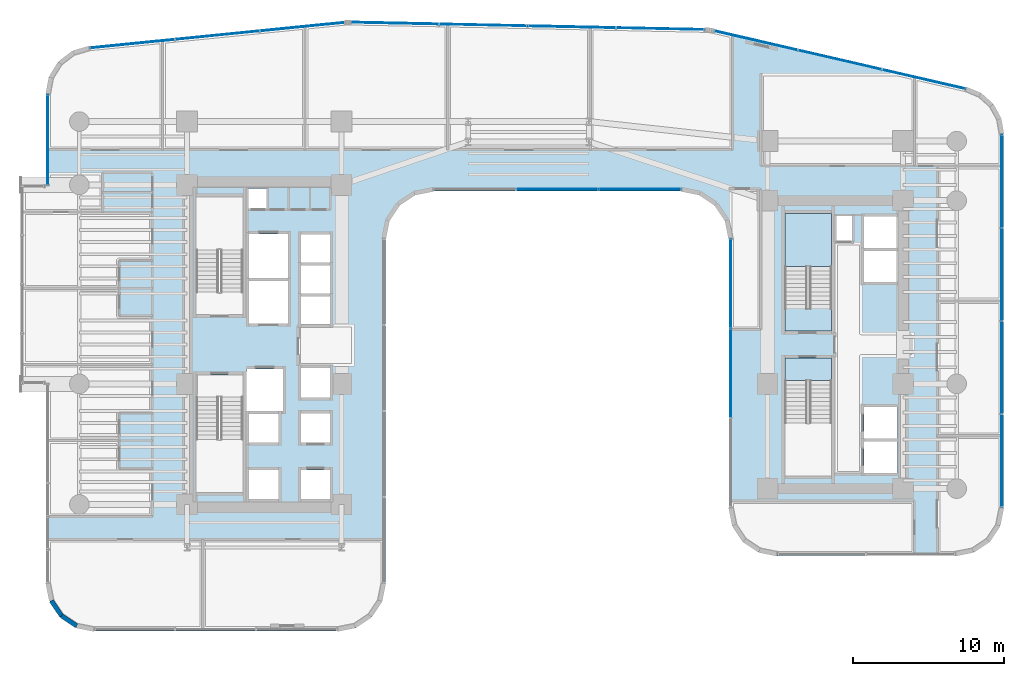
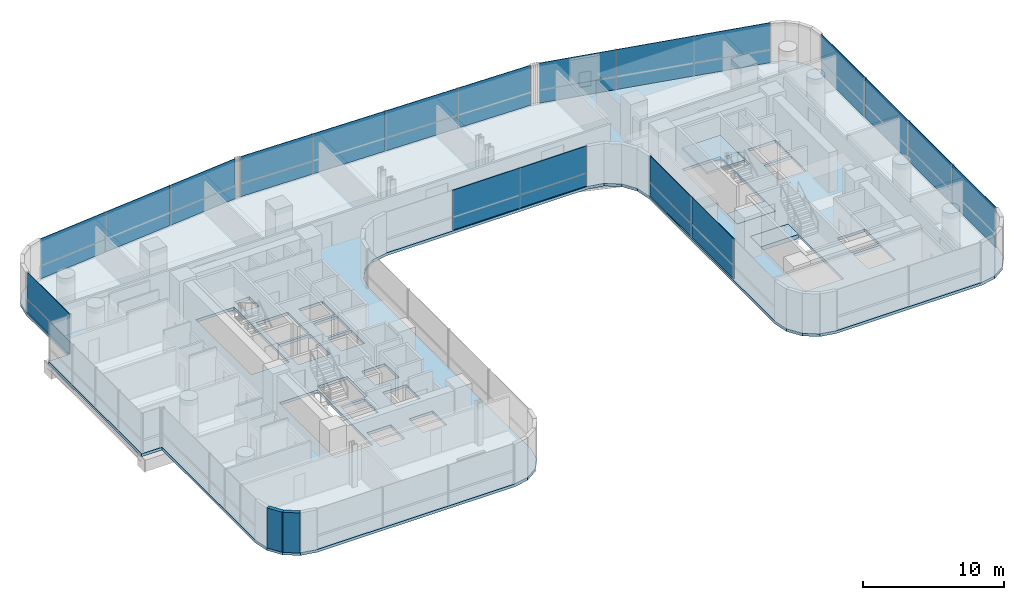
# One storey, part 28 of 39: 30 plates, 4 slabs, 2 walls, 8 elements without a shape of their own.
"""IFC4 building model written with IfcOpenShell, lengths in metres."""

from ifc_helpers import new_model, si_unit, direction, frame, frame_2d, origin, origin_2d, place, context, subcontext, project, spatial, polyline, rectangle, outline, extrude, source, transform, mapped, material, layer, layer_set, type_object, element, aggregate, save


model = new_model("IFC4")

# Units and contexts
model_context = context("Model", 3, precision=1e-05, world=origin(), true_north=direction((0.0, 1.0)))
body_context = subcontext(model_context, "Body", "Model", "MODEL_VIEW")
ifc_project = project(units=[si_unit("LENGTHUNIT", "METRE"), si_unit("AREAUNIT", "SQUARE_METRE"), si_unit("VOLUMEUNIT", "CUBIC_METRE"), si_unit("PLANEANGLEUNIT", "RADIAN"), si_unit("MASSUNIT", "GRAM", prefix="KILO")], contexts=[model_context])

# Site, building, storey
site_placement = place(None, origin())
site = spatial("IfcSite", under=ifc_project, at=site_placement, CompositionType="ELEMENT")
building_placement = place(site_placement, origin())
building = spatial("IfcBuilding", under=site, at=building_placement, Name="Valdorenza Pilgrim Sanctuary Tower", CompositionType="ELEMENT")
storey_placement = place(building_placement, frame((0.0, 0.0, 77.800048828125)))
storey = spatial("IfcBuildingStorey", under=building, at=storey_placement, Name="L19", CompositionType="ELEMENT", Elevation=77.800048828125)

# Slab
ifc_material_1 = material(Name="Concrete C40/50", Category="concrete")
ifc_layer_1 = layer(ifc_material_1, 0.239990234375, Name="Concrete C40/50")
ifc_layer_set_1 = layer_set([ifc_layer_1], Name="Concrete C40/50")
slab_type_1 = type_object("IfcSlabType", Name="SLAB-FLR-220", PredefinedType="FLOOR", material=ifc_layer_set_1)
slab_1_placement = place(storey_placement, frame((0.0, 0.0, -0.239990234375)))
element("IfcSlab", 1, at=slab_1_placement, inside=storey, type_object=slab_type_1, Name="L19 Structural Floor Slab 1", PredefinedType="FLOOR", context=body_context, shape_type="SweptSolid", body=[
    extrude(outline(polyline([(-31.785888671875, 17.754638671875), (-31.172607421875, 18.751220703125), (-30.241943359375, 19.460693359375), (-29.118408203125, 19.7880859375), (-12.192138671875, 21.480712890625), (-11.999755859375, 21.494140625), (-11.9033203125, 21.49658203125), (11.66943359375, 21.0068359375), (11.833984375, 20.999267578125), (11.997802734375, 20.983154296875), (12.160888671875, 20.95849609375), (12.322265625, 20.925537109375), (29.01953125, 17.072509765625), (30.00732421875, 16.660888671875), (30.80419921875, 15.946533203125), (31.321044921875, 15.009521484375), (31.5, 13.954345703125), (31.5, -10.800048828125), (31.25634765625, -12.024658203125), (30.562744140625, -13.062744140625), (29.524658203125, -13.75634765625), (28.300048828125, -14.0), (16.5, -14.0), (15.275390625, -13.75634765625), (14.2373046875, -13.062744140625), (13.543701171875, -12.024658203125), (13.300048828125, -10.800048828125), (13.300048828125, 7.0), (13.056396484375, 8.224609375), (12.36279296875, 9.2626953125), (11.32470703125, 9.956298828125), (10.10009765625, 10.199951171875), (-6.300048828125, 10.199951171875), (-7.524658203125, 9.956298828125), (-8.562744140625, 9.2626953125), (-9.25634765625, 8.224609375), (-9.5, 7.0), (-9.5, -15.800048828125), (-9.74365234375, -17.024658203125), (-10.437255859375, -18.062744140625), (-11.475341796875, -18.75634765625), (-12.699951171875, -19.0), (-28.800048828125, -19.0), (-30.024658203125, -18.75634765625), (-31.062744140625, -18.062744140625), (-31.75634765625, -17.024658203125), (-32.0, -15.800048828125), (-32.0, -2.60009765625), (-33.64990234375, -2.60009765625), (-33.64990234375, 10.60009765625), (-32.0, 10.60009765625), (-32.0, 16.60400390625), (-31.785888671875, 17.754638671875)]), holes=[polyline([(-16.60009765625, -10.25), (-16.60009765625, -8.300048828125), (-18.550048828125, -8.300048828125), (-18.550048828125, -10.25), (-16.60009765625, -10.25)]), polyline([(-22.050048828125, -9.800048828125), (-18.93994140625, -9.800048828125), (-18.93994140625, -3.485107421875), (-18.93994140625, -2.0), (-22.050048828125, -2.0), (-22.050048828125, -3.485107421875), (-22.050048828125, -9.800048828125)]), polyline([(-18.550048828125, -6.5), (-16.60009765625, -6.5), (-16.60009765625, -4.60009765625), (-18.550048828125, -4.60009765625), (-18.550048828125, -6.5)]), polyline([(-13.179931640625, -6.5), (-13.179931640625, -4.550048828125), (-15.10009765625, -4.550048828125), (-15.10009765625, -6.5), (-13.179931640625, -6.5)]), polyline([(-18.719970703125, -4.39990234375), (-16.300048828125, -4.39990234375), (-16.300048828125, -1.60009765625), (-18.719970703125, -1.60009765625), (-18.719970703125, -4.39990234375)]), polyline([(-13.179931640625, -3.5), (-13.179931640625, -1.550048828125), (-15.10009765625, -1.550048828125), (-15.10009765625, -3.5), (-13.179931640625, -3.5)]), polyline([(-22.050048828125, 2.0), (-18.93994140625, 2.0), (-18.93994140625, 3.485107421875), (-18.93994140625, 9.800048828125), (-22.050048828125, 9.800048828125), (-22.050048828125, 3.485107421875), (-22.050048828125, 2.0)]), polyline([(-18.550048828125, 1.39990234375), (-15.949951171875, 1.39990234375), (-15.949951171875, 4.22509765625), (-18.550048828125, 4.22509765625), (-18.550048828125, 1.39990234375)]), polyline([(-15.949951171875, 4.425048828125), (-15.949951171875, 7.35009765625), (-18.550048828125, 7.35009765625), (-18.550048828125, 4.425048828125), (-15.949951171875, 4.425048828125)]), polyline([(-15.10009765625, 5.449951171875), (-13.179931640625, 5.449951171875), (-13.179931640625, 7.300048828125), (-15.10009765625, 7.300048828125), (-15.10009765625, 5.449951171875)]), polyline([(-17.360107421875, 9.030029296875), (-17.360107421875, 10.35009765625), (-18.570068359375, 10.35009765625), (-18.570068359375, 9.030029296875), (-17.360107421875, 9.030029296875)]), polyline([(-15.10009765625, -10.25), (-13.179931640625, -10.25), (-13.179931640625, -8.300048828125), (-15.10009765625, -8.300048828125), (-15.10009765625, -10.25)]), polyline([(22.25, -8.5), (24.47998046875, -8.5), (24.47998046875, -6.425048828125), (22.25, -6.425048828125), (22.25, -8.5)]), polyline([(17.0, -2.385009765625), (17.0, -8.699951171875), (20.110107421875, -8.699951171875), (20.110107421875, -2.385009765625), (20.110107421875, -0.89990234375), (17.0, -0.89990234375), (17.0, -2.385009765625)]), polyline([(22.25, -6.22509765625), (24.47998046875, -6.22509765625), (24.47998046875, -4.14990234375), (22.25, -4.14990234375), (22.25, -6.22509765625)]), polyline([(17.0, 0.89990234375), (20.110107421875, 0.89990234375), (20.110107421875, 2.385009765625), (20.110107421875, 8.699951171875), (17.0, 8.699951171875), (17.0, 2.385009765625), (17.0, 0.89990234375)]), polyline([(-15.10009765625, 1.35009765625), (-13.179931640625, 1.35009765625), (-13.179931640625, 3.199951171875), (-15.10009765625, 3.199951171875), (-15.10009765625, 1.35009765625)]), polyline([(-15.10009765625, 3.39990234375), (-13.179931640625, 3.39990234375), (-13.179931640625, 5.25), (-15.10009765625, 5.25), (-15.10009765625, 3.39990234375)]), polyline([(22.25, 4.14990234375), (24.47998046875, 4.14990234375), (24.47998046875, 6.22509765625), (22.25, 6.22509765625), (22.25, 4.14990234375)]), polyline([(22.25, 6.425048828125), (24.47998046875, 6.425048828125), (24.47998046875, 8.5), (22.25, 8.5), (22.25, 6.425048828125)]), polyline([(20.409912109375, 6.860107421875), (21.489990234375, 6.860107421875), (21.489990234375, 8.52001953125), (20.409912109375, 8.52001953125), (20.409912109375, 6.860107421875)])]), origin(), (0.0, 0.0, 1.0), 0.239990234375),
])

# Stair, slab
stair_type = type_object("IfcStairType", Name="STR-DOG-CORE", PredefinedType="HALF_TURN_STAIR", material=ifc_material_1)
stair_placement = place(storey_placement, origin())
stair = element("IfcStair", 2, at=stair_placement, inside=storey, type_object=stair_type, Name="L19 ST-B1", PredefinedType="HALF_TURN_STAIR")
ifc_layer_2 = layer(ifc_material_1, 0.199951171875, Name="Concrete C40/50")
ifc_layer_set_2 = layer_set([ifc_layer_2], Name="Concrete C40/50")
slab_type_2 = type_object("IfcSlabType", Name="SLAB-STL-200", PredefinedType="LANDING", material=ifc_layer_set_2)
slab_2_placement = place(storey_placement, frame((0.0, 0.0, 1.64990234375)))
slab_2 = element("IfcSlab", 3, at=slab_2_placement, type_object=slab_type_2, Name="ST-B1 landing 1", PredefinedType="LANDING", context=body_context, shape_type="SweptSolid", body=[
    extrude(outline(polyline([(20.110107421875, 5.179931640625), (20.110107421875, 8.699951171875), (17.0, 8.699951171875), (17.0, 5.179931640625), (20.110107421875, 5.179931640625)])), origin(), (0.0, 0.0, 1.0), 0.199951171875),
])
aggregate(stair, [slab_2])

# Slabs
ifc_material_2 = material(Name="Concrete C50/60", Category="concrete")
ifc_layer_3 = layer(ifc_material_2, 0.39990234375, Name="Concrete C50/60")
ifc_layer_set_3 = layer_set([ifc_layer_3], Name="Concrete C50/60")
slab_type_3 = type_object("IfcSlabType", Name="SLAB-TRF-400", PredefinedType="FLOOR", material=ifc_layer_set_3)
slab_3_placement = place(storey_placement, frame((0.0, 0.0, -0.360107421875)))
element("IfcSlab", 4, at=slab_3_placement, inside=storey, type_object=slab_type_3, Name="L19 ST-B1 Structural Stair Landing Bearing Slab", PredefinedType="FLOOR", context=body_context, shape_type="SweptSolid", body=[
    extrude(outline(polyline([(17.0, 0.89990234375), (20.110107421875, 0.89990234375), (20.110107421875, 2.385009765625), (17.0, 2.385009765625), (17.0, 0.89990234375)])), origin(), (0.0, 0.0, 1.0), 0.360107421875),
])
slab_4_placement = place(storey_placement, frame((0.0, 0.0, -0.360107421875)))
element("IfcSlab", 5, at=slab_4_placement, inside=storey, type_object=slab_type_3, Name="L19 ST-B2 Structural Stair Landing Bearing Slab", PredefinedType="FLOOR", context=body_context, shape_type="SweptSolid", body=[
    extrude(outline(polyline([(17.0, -2.385009765625), (20.110107421875, -2.385009765625), (20.110107421875, -0.89990234375), (17.0, -0.89990234375), (17.0, -2.385009765625)])), origin(), (0.0, 0.0, 1.0), 0.360107421875),
])

# Curtain wall, plates
ifc_material_3 = material(Name="Curtain-wall IGU glazing", Category="glass")
curtain_wall_type_1 = type_object("IfcCurtainWallType", Name="CW-SYS-02", PredefinedType="NOTDEFINED", material=ifc_material_3)
curtain_wall_1_placement = place(storey_placement, origin())
curtain_wall_1 = element("IfcCurtainWall", 6, at=curtain_wall_1_placement, inside=storey, type_object=curtain_wall_type_1, Name="L19 Curtain Wall CW-L19-1-6", PredefinedType="NOTDEFINED")
ifc_material_4 = material(Name="Honed travertine limestone", Category="masonry")
ifc_layer_4 = layer(ifc_material_4, 0.050048828125, Name="Honed travertine limestone")
ifc_layer_set_4 = layer_set([ifc_layer_4], Name="Honed travertine limestone")
plate_type_1 = type_object("IfcPlateType", Name="CW-SPN-TRV", PredefinedType="USERDEFINED", material=ifc_layer_set_4)
shared_shape_1 = source(origin(), body_context, "Body", "SweptSolid", [
    extrude(rectangle(XDim=5.646484375, YDim=0.06005859375, at=origin_2d()), origin(), (0.0, 0.0, 1.0), 1.10009765625),
])
plate_1_placement = place(storey_placement, frame((-26.2783203125, 19.961669921875, 0.010009765625), z_axis=(0.0, 0.0, 1.0), x_axis=(0.995038220239, 0.099493418189, 0.0)))
plate_1 = element("IfcPlate", 7, at=plate_1_placement, type_object=plate_type_1, Name="CW-L19-1-6 Travertine Spandrel 1", ObjectType="SPANDREL", PredefinedType="USERDEFINED", context=body_context, shape_type="MappedRepresentation", body=[
    mapped(shared_shape_1, transform((0.0, 0.0, 0.0), x_axis=(1.0, 0.0, 0.0), y_axis=(0.0, 1.0, 0.0), z_axis=(0.0, 0.0, 1.0), scale=1.0)),
])
plate_2_placement = place(storey_placement, frame((-15.001220703125, 21.08935546875, 0.010009765625), z_axis=(0.0, 0.0, 1.0), x_axis=(0.995038220239, 0.099493418189, 0.0)))
plate_2 = element("IfcPlate", 8, at=plate_2_placement, type_object=plate_type_1, Name="CW-L19-1-6 Travertine Spandrel 3", ObjectType="SPANDREL", PredefinedType="USERDEFINED", context=body_context, shape_type="MappedRepresentation", body=[
    mapped(shared_shape_1, transform((0.0, 0.0, 0.0), x_axis=(1.0, 0.0, 0.0), y_axis=(0.0, 1.0, 0.0), z_axis=(0.0, 0.0, 1.0), scale=1.0)),
])
ifc_material_5 = material(Name="Ceramic-fritted low-E IGU glazing", Category="glass")
ifc_layer_5 = layer(ifc_material_5, 0.035888671875, Name="Ceramic-fritted low-E IGU glazing")
ifc_layer_set_5 = layer_set([ifc_layer_5], Name="Ceramic-fritted low-E IGU glazing")
plate_type_2 = type_object("IfcPlateType", Name="CW-GLZ-IGU", PredefinedType="USERDEFINED", material=ifc_layer_set_5)
shared_shape_2 = source(origin(), body_context, "Body", "SweptSolid", [
    extrude(rectangle(XDim=5.646484375, YDim=0.050048828125, at=origin_2d()), origin(), (0.0, 0.0, 1.0), 2.320068359375),
])
plate_3_placement = place(storey_placement, frame((-26.2783203125, 19.961669921875, 1.1298828125), z_axis=(0.0, 0.0, 1.0), x_axis=(0.995038220239, 0.099493418189, 0.0)))
plate_3 = element("IfcPlate", 9, at=plate_3_placement, type_object=plate_type_2, Name="CW-L19-1-6 Facade Panel 1", ObjectType="GLAZING", PredefinedType="USERDEFINED", context=body_context, shape_type="MappedRepresentation", body=[
    mapped(shared_shape_2, transform((0.0, 0.0, 0.0), x_axis=(1.0, 0.0, 0.0), y_axis=(0.0, 1.0, 0.0), z_axis=(0.0, 0.0, 1.0), scale=1.0)),
])
plate_4_placement = place(storey_placement, frame((-15.001220703125, 21.08935546875, 1.1298828125), z_axis=(0.0, 0.0, 1.0), x_axis=(0.995038220239, 0.099493418189, 0.0)))
plate_4 = element("IfcPlate", 10, at=plate_4_placement, type_object=plate_type_2, Name="CW-L19-1-6 Facade Panel 3", ObjectType="GLAZING", PredefinedType="USERDEFINED", context=body_context, shape_type="MappedRepresentation", body=[
    mapped(shared_shape_2, transform((0.0, 0.0, 0.0), x_axis=(1.0, 0.0, 0.0), y_axis=(0.0, 1.0, 0.0), z_axis=(0.0, 0.0, 1.0), scale=1.0)),
])
shared_shape_3 = source(origin(), body_context, "Body", "SweptSolid", [
    extrude(rectangle(XDim=5.646484375, YDim=0.050048828125, at=origin_2d()), origin(), (0.0, 0.0, 1.0), 3.43994140625),
])
plate_5_placement = place(storey_placement, frame((-20.6396484375, 20.525634765625, 0.010009765625), z_axis=(0.0, 0.0, 1.0), x_axis=(0.995038220239, 0.099493418189, 0.0)))
plate_5 = element("IfcPlate", 11, at=plate_5_placement, type_object=plate_type_2, Name="CW-L19-1-6 Full-Height Facade Panel 2", ObjectType="GLAZING", PredefinedType="USERDEFINED", context=body_context, shape_type="MappedRepresentation", body=[
    mapped(shared_shape_3, transform((0.0, 0.0, 0.0), x_axis=(1.0, 0.0, 0.0), y_axis=(0.0, 1.0, 0.0), z_axis=(0.0, 0.0, 1.0), scale=1.0)),
])
aggregate(curtain_wall_1, [plate_1, plate_3, plate_5, plate_2, plate_4])

curtain_wall_2_placement = place(storey_placement, origin())
curtain_wall_2 = element("IfcCurtainWall", 12, at=curtain_wall_2_placement, inside=storey, type_object=curtain_wall_type_1, Name="L19 Curtain Wall CW-L19-1-11", PredefinedType="NOTDEFINED")
shared_shape_4 = source(origin(), body_context, "Body", "SweptSolid", [
    extrude(rectangle(XDim=5.849853515625, YDim=0.06005859375, at=origin_2d()), origin(), (0.0, 0.0, 1.0), 1.10009765625),
])
plate_6_placement = place(storey_placement, frame((-8.8740234375, 21.324951171875, 0.010009765625), z_axis=(0.0, 0.0, 1.0), x_axis=(0.999783234613, -0.020820273474, 0.0)))
plate_6 = element("IfcPlate", 13, at=plate_6_placement, type_object=plate_type_1, Name="CW-L19-1-11 Travertine Spandrel 1", ObjectType="SPANDREL", PredefinedType="USERDEFINED", context=body_context, shape_type="MappedRepresentation", body=[
    mapped(shared_shape_4, transform((0.0, 0.0, 0.0), x_axis=(1.0, 0.0, 0.0), y_axis=(0.0, 1.0, 0.0), z_axis=(0.0, 0.0, 1.0), scale=1.0)),
])
plate_7_placement = place(storey_placement, frame((2.86279296875, 21.080322265625, 0.010009765625), z_axis=(0.0, 0.0, 1.0), x_axis=(0.999783234613, -0.020820273474, 0.0)))
plate_7 = element("IfcPlate", 14, at=plate_7_placement, type_object=plate_type_1, Name="CW-L19-1-11 Travertine Spandrel 3", ObjectType="SPANDREL", PredefinedType="USERDEFINED", context=body_context, shape_type="MappedRepresentation", body=[
    mapped(shared_shape_4, transform((0.0, 0.0, 0.0), x_axis=(1.0, 0.0, 0.0), y_axis=(0.0, 1.0, 0.0), z_axis=(0.0, 0.0, 1.0), scale=1.0)),
])
shared_shape_5 = source(origin(), body_context, "Body", "SweptSolid", [
    extrude(rectangle(XDim=5.849853515625, YDim=0.050048828125, at=origin_2d()), origin(), (0.0, 0.0, 1.0), 2.320068359375),
])
plate_8_placement = place(storey_placement, frame((-8.8740234375, 21.324951171875, 1.1298828125), z_axis=(0.0, 0.0, 1.0), x_axis=(0.999783234613, -0.020820273474, 0.0)))
plate_8 = element("IfcPlate", 15, at=plate_8_placement, type_object=plate_type_2, Name="CW-L19-1-11 Facade Panel 1", ObjectType="GLAZING", PredefinedType="USERDEFINED", context=body_context, shape_type="MappedRepresentation", body=[
    mapped(shared_shape_5, transform((0.0, 0.0, 0.0), x_axis=(1.0, 0.0, 0.0), y_axis=(0.0, 1.0, 0.0), z_axis=(0.0, 0.0, 1.0), scale=1.0)),
])
plate_9_placement = place(storey_placement, frame((2.86279296875, 21.080322265625, 1.1298828125), z_axis=(0.0, 0.0, 1.0), x_axis=(0.999783234613, -0.020820273474, 0.0)))
plate_9 = element("IfcPlate", 16, at=plate_9_placement, type_object=plate_type_2, Name="CW-L19-1-11 Facade Panel 3", ObjectType="GLAZING", PredefinedType="USERDEFINED", context=body_context, shape_type="MappedRepresentation", body=[
    mapped(shared_shape_5, transform((0.0, 0.0, 0.0), x_axis=(1.0, 0.0, 0.0), y_axis=(0.0, 1.0, 0.0), z_axis=(0.0, 0.0, 1.0), scale=1.0)),
])
shared_shape_6 = source(origin(), body_context, "Body", "SweptSolid", [
    extrude(rectangle(XDim=5.849853515625, YDim=0.050048828125, at=origin_2d()), origin(), (0.0, 0.0, 1.0), 3.43994140625),
])
plate_10_placement = place(storey_placement, frame((-3.005615234375, 21.20263671875, 0.010009765625), z_axis=(0.0, 0.0, 1.0), x_axis=(0.999783234613, -0.020820273474, 0.0)))
plate_10 = element("IfcPlate", 17, at=plate_10_placement, type_object=plate_type_2, Name="CW-L19-1-11 Full-Height Facade Panel 2", ObjectType="GLAZING", PredefinedType="USERDEFINED", context=body_context, shape_type="MappedRepresentation", body=[
    mapped(shared_shape_6, transform((0.0, 0.0, 0.0), x_axis=(1.0, 0.0, 0.0), y_axis=(0.0, 1.0, 0.0), z_axis=(0.0, 0.0, 1.0), scale=1.0)),
])
plate_11_placement = place(storey_placement, frame((8.7314453125, 20.9580078125, 0.010009765625), z_axis=(0.0, 0.0, 1.0), x_axis=(0.999783234613, -0.020820273474, 0.0)))
plate_11 = element("IfcPlate", 18, at=plate_11_placement, type_object=plate_type_2, Name="CW-L19-1-11 Full-Height Facade Panel 4", ObjectType="GLAZING", PredefinedType="USERDEFINED", context=body_context, shape_type="MappedRepresentation", body=[
    mapped(shared_shape_6, transform((0.0, 0.0, 0.0), x_axis=(1.0, 0.0, 0.0), y_axis=(0.0, 1.0, 0.0), z_axis=(0.0, 0.0, 1.0), scale=1.0)),
])
aggregate(curtain_wall_2, [plate_6, plate_8, plate_10, plate_7, plate_9, plate_11])

curtain_wall_type_2 = type_object("IfcCurtainWallType", Name="CW-SYS-03", PredefinedType="NOTDEFINED", material=ifc_material_3)
curtain_wall_3_placement = place(storey_placement, origin())
curtain_wall_3 = element("IfcCurtainWall", 19, at=curtain_wall_3_placement, inside=storey, type_object=curtain_wall_type_2, Name="L19 Curtain Wall CW-L19-1-16", PredefinedType="NOTDEFINED")
shared_shape_7 = source(origin(), body_context, "Body", "SweptSolid", [
    extrude(rectangle(XDim=5.6884765625, YDim=0.06005859375, at=origin_2d()), origin(), (0.0, 0.0, 1.0), 1.10009765625),
])
plate_12_placement = place(storey_placement, frame((15.080078125, 20.17626953125, 0.010009765625), z_axis=(0.0, 0.0, 1.0), x_axis=(0.974389691758, -0.224866023659, 0.0)))
plate_12 = element("IfcPlate", 20, at=plate_12_placement, type_object=plate_type_1, Name="CW-L19-1-16 Travertine Spandrel 1", ObjectType="SPANDREL", PredefinedType="USERDEFINED", context=body_context, shape_type="MappedRepresentation", body=[
    mapped(shared_shape_7, transform((0.0, 0.0, 0.0), x_axis=(1.0, 0.0, 0.0), y_axis=(0.0, 1.0, 0.0), z_axis=(0.0, 0.0, 1.0), scale=1.0)),
])
plate_13_placement = place(storey_placement, frame((26.20458984375, 17.609130859375, 0.010009765625), z_axis=(0.0, 0.0, 1.0), x_axis=(0.974389691758, -0.224866023659, 0.0)))
plate_13 = element("IfcPlate", 21, at=plate_13_placement, type_object=plate_type_1, Name="CW-L19-1-16 Travertine Spandrel 3", ObjectType="SPANDREL", PredefinedType="USERDEFINED", context=body_context, shape_type="MappedRepresentation", body=[
    mapped(shared_shape_7, transform((0.0, 0.0, 0.0), x_axis=(1.0, 0.0, 0.0), y_axis=(0.0, 1.0, 0.0), z_axis=(0.0, 0.0, 1.0), scale=1.0)),
])
shared_shape_8 = source(origin(), body_context, "Body", "SweptSolid", [
    extrude(rectangle(XDim=5.6884765625, YDim=0.050048828125, at=origin_2d()), origin(), (0.0, 0.0, 1.0), 2.320068359375),
])
plate_14_placement = place(storey_placement, frame((15.080078125, 20.17626953125, 1.1298828125), z_axis=(0.0, 0.0, 1.0), x_axis=(0.974389691758, -0.224866023659, 0.0)))
plate_14 = element("IfcPlate", 22, at=plate_14_placement, type_object=plate_type_2, Name="CW-L19-1-16 Facade Panel 1", ObjectType="GLAZING", PredefinedType="USERDEFINED", context=body_context, shape_type="MappedRepresentation", body=[
    mapped(shared_shape_8, transform((0.0, 0.0, 0.0), x_axis=(1.0, 0.0, 0.0), y_axis=(0.0, 1.0, 0.0), z_axis=(0.0, 0.0, 1.0), scale=1.0)),
])
plate_15_placement = place(storey_placement, frame((26.20458984375, 17.609130859375, 1.1298828125), z_axis=(0.0, 0.0, 1.0), x_axis=(0.974389691758, -0.224866023659, 0.0)))
plate_15 = element("IfcPlate", 23, at=plate_15_placement, type_object=plate_type_2, Name="CW-L19-1-16 Facade Panel 3", ObjectType="GLAZING", PredefinedType="USERDEFINED", context=body_context, shape_type="MappedRepresentation", body=[
    mapped(shared_shape_8, transform((0.0, 0.0, 0.0), x_axis=(1.0, 0.0, 0.0), y_axis=(0.0, 1.0, 0.0), z_axis=(0.0, 0.0, 1.0), scale=1.0)),
])
shared_shape_9 = source(origin(), body_context, "Body", "SweptSolid", [
    extrude(rectangle(XDim=5.6884765625, YDim=0.050048828125, at=origin_2d()), origin(), (0.0, 0.0, 1.0), 3.43994140625),
])
plate_16_placement = place(storey_placement, frame((20.642333984375, 18.892578125, 0.010009765625), z_axis=(0.0, 0.0, 1.0), x_axis=(0.974389691758, -0.224866023659, 0.0)))
plate_16 = element("IfcPlate", 24, at=plate_16_placement, type_object=plate_type_2, Name="CW-L19-1-16 Full-Height Facade Panel 2", ObjectType="GLAZING", PredefinedType="USERDEFINED", context=body_context, shape_type="MappedRepresentation", body=[
    mapped(shared_shape_9, transform((0.0, 0.0, 0.0), x_axis=(1.0, 0.0, 0.0), y_axis=(0.0, 1.0, 0.0), z_axis=(0.0, 0.0, 1.0), scale=1.0)),
])
aggregate(curtain_wall_3, [plate_12, plate_14, plate_16, plate_13, plate_15])

curtain_wall_4_placement = place(storey_placement, origin())
curtain_wall_4 = element("IfcCurtainWall", 25, at=curtain_wall_4_placement, inside=storey, type_object=curtain_wall_type_2, Name="L19 Curtain Wall CW-L19-1-21", PredefinedType="NOTDEFINED")
shared_shape_10 = source(origin(), body_context, "Body", "SweptSolid", [
    extrude(rectangle(XDim=6.16357421875, YDim=0.06005859375, at=origin_2d()), origin(), (0.0, 0.0, 1.0), 1.10009765625),
])
plate_17_placement = place(storey_placement, frame((31.389892578125, 10.853271484375, 0.010009765625), z_axis=(0.0, 0.0, 1.0), x_axis=(0.0, -1.0, 0.0)))
plate_17 = element("IfcPlate", 26, at=plate_17_placement, type_object=plate_type_1, Name="CW-L19-1-21 Travertine Spandrel 1", ObjectType="SPANDREL", PredefinedType="USERDEFINED", context=body_context, shape_type="MappedRepresentation", body=[
    mapped(shared_shape_10, transform((0.0, 0.0, 0.0), x_axis=(1.0, 0.0, 0.0), y_axis=(0.0, 1.0, 0.0), z_axis=(0.0, 0.0, 1.0), scale=1.0)),
])
plate_18_placement = place(storey_placement, frame((31.389892578125, -1.513916015625, 0.010009765625), z_axis=(0.0, 0.0, 1.0), x_axis=(0.0, -1.0, 0.0)))
plate_18 = element("IfcPlate", 27, at=plate_18_placement, type_object=plate_type_1, Name="CW-L19-1-21 Travertine Spandrel 3", ObjectType="SPANDREL", PredefinedType="USERDEFINED", context=body_context, shape_type="MappedRepresentation", body=[
    mapped(shared_shape_10, transform((0.0, 0.0, 0.0), x_axis=(1.0, 0.0, 0.0), y_axis=(0.0, 1.0, 0.0), z_axis=(0.0, 0.0, 1.0), scale=1.0)),
])
shared_shape_11 = source(origin(), body_context, "Body", "SweptSolid", [
    extrude(rectangle(XDim=6.16357421875, YDim=0.050048828125, at=origin_2d()), origin(), (0.0, 0.0, 1.0), 2.320068359375),
])
plate_19_placement = place(storey_placement, frame((31.389892578125, 10.853271484375, 1.1298828125), z_axis=(0.0, 0.0, 1.0), x_axis=(0.0, -1.0, 0.0)))
plate_19 = element("IfcPlate", 28, at=plate_19_placement, type_object=plate_type_2, Name="CW-L19-1-21 Facade Panel 1", ObjectType="GLAZING", PredefinedType="USERDEFINED", context=body_context, shape_type="MappedRepresentation", body=[
    mapped(shared_shape_11, transform((0.0, 0.0, 0.0), x_axis=(1.0, 0.0, 0.0), y_axis=(0.0, 1.0, 0.0), z_axis=(0.0, 0.0, 1.0), scale=1.0)),
])
plate_20_placement = place(storey_placement, frame((31.389892578125, -1.513916015625, 1.1298828125), z_axis=(0.0, 0.0, 1.0), x_axis=(0.0, -1.0, 0.0)))
plate_20 = element("IfcPlate", 29, at=plate_20_placement, type_object=plate_type_2, Name="CW-L19-1-21 Facade Panel 3", ObjectType="GLAZING", PredefinedType="USERDEFINED", context=body_context, shape_type="MappedRepresentation", body=[
    mapped(shared_shape_11, transform((0.0, 0.0, 0.0), x_axis=(1.0, 0.0, 0.0), y_axis=(0.0, 1.0, 0.0), z_axis=(0.0, 0.0, 1.0), scale=1.0)),
])
shared_shape_12 = source(origin(), body_context, "Body", "SweptSolid", [
    extrude(rectangle(XDim=6.16357421875, YDim=0.050048828125, at=origin_2d()), origin(), (0.0, 0.0, 1.0), 3.43994140625),
])
plate_21_placement = place(storey_placement, frame((31.389892578125, 4.669677734375, 0.010009765625), z_axis=(0.0, 0.0, 1.0), x_axis=(0.0, -1.0, 0.0)))
plate_21 = element("IfcPlate", 30, at=plate_21_placement, type_object=plate_type_2, Name="CW-L19-1-21 Full-Height Facade Panel 2", ObjectType="GLAZING", PredefinedType="USERDEFINED", context=body_context, shape_type="MappedRepresentation", body=[
    mapped(shared_shape_12, transform((0.0, 0.0, 0.0), x_axis=(1.0, 0.0, 0.0), y_axis=(0.0, 1.0, 0.0), z_axis=(0.0, 0.0, 1.0), scale=1.0)),
])
plate_22_placement = place(storey_placement, frame((31.389892578125, -7.697509765625, 0.010009765625), z_axis=(0.0, 0.0, 1.0), x_axis=(0.0, -1.0, 0.0)))
plate_22 = element("IfcPlate", 31, at=plate_22_placement, type_object=plate_type_2, Name="CW-L19-1-21 Full-Height Facade Panel 4", ObjectType="GLAZING", PredefinedType="USERDEFINED", context=body_context, shape_type="MappedRepresentation", body=[
    mapped(shared_shape_12, transform((0.0, 0.0, 0.0), x_axis=(1.0, 0.0, 0.0), y_axis=(0.0, 1.0, 0.0), z_axis=(0.0, 0.0, 1.0), scale=1.0)),
])
aggregate(curtain_wall_4, [plate_17, plate_19, plate_21, plate_18, plate_20, plate_22])

curtain_wall_5_placement = place(storey_placement, origin())
curtain_wall_5 = element("IfcCurtainWall", 32, at=curtain_wall_5_placement, inside=storey, type_object=curtain_wall_type_2, Name="L19 Curtain Wall CW-L19-1-31", PredefinedType="NOTDEFINED")
shared_shape_13 = source(origin(), body_context, "Body", "SweptSolid", [
    extrude(rectangle(XDim=5.913330078125, YDim=0.06005859375, at=origin_2d()), origin(), (0.0, 0.0, 1.0), 1.10009765625),
])
plate_23_placement = place(storey_placement, frame((13.409912109375, 4.044189453125, 0.010009765625), z_axis=(0.0, 0.0, 1.0), x_axis=(0.0, 1.0, 0.0)))
plate_23 = element("IfcPlate", 33, at=plate_23_placement, type_object=plate_type_1, Name="CW-L19-1-31 Travertine Spandrel 3", ObjectType="SPANDREL", PredefinedType="USERDEFINED", context=body_context, shape_type="MappedRepresentation", body=[
    mapped(shared_shape_13, transform((0.0, 0.0, 0.0), x_axis=(1.0, 0.0, 0.0), y_axis=(0.0, 1.0, 0.0), z_axis=(0.0, 0.0, 1.0), scale=1.0)),
])
shared_shape_14 = source(origin(), body_context, "Body", "SweptSolid", [
    extrude(rectangle(XDim=5.913330078125, YDim=0.050048828125, at=origin_2d()), origin(), (0.0, 0.0, 1.0), 2.320068359375),
])
plate_24_placement = place(storey_placement, frame((13.409912109375, 4.044189453125, 1.1298828125), z_axis=(0.0, 0.0, 1.0), x_axis=(0.0, 1.0, 0.0)))
plate_24 = element("IfcPlate", 34, at=plate_24_placement, type_object=plate_type_2, Name="CW-L19-1-31 Facade Panel 3", ObjectType="GLAZING", PredefinedType="USERDEFINED", context=body_context, shape_type="MappedRepresentation", body=[
    mapped(shared_shape_14, transform((0.0, 0.0, 0.0), x_axis=(1.0, 0.0, 0.0), y_axis=(0.0, 1.0, 0.0), z_axis=(0.0, 0.0, 1.0), scale=1.0)),
])
shared_shape_15 = source(origin(), body_context, "Body", "SweptSolid", [
    extrude(rectangle(XDim=5.913330078125, YDim=0.050048828125, at=origin_2d()), origin(), (0.0, 0.0, 1.0), 3.43994140625),
])
plate_25_placement = place(storey_placement, frame((13.409912109375, -1.88916015625, 0.010009765625), z_axis=(0.0, 0.0, 1.0), x_axis=(0.0, 1.0, 0.0)))
plate_25 = element("IfcPlate", 35, at=plate_25_placement, type_object=plate_type_2, Name="CW-L19-1-31 Full-Height Facade Panel 2", ObjectType="GLAZING", PredefinedType="USERDEFINED", context=body_context, shape_type="MappedRepresentation", body=[
    mapped(shared_shape_15, transform((0.0, 0.0, 0.0), x_axis=(1.0, 0.0, 0.0), y_axis=(0.0, 1.0, 0.0), z_axis=(0.0, 0.0, 1.0), scale=1.0)),
])
aggregate(curtain_wall_5, [plate_25, plate_23, plate_24])

curtain_wall_6_placement = place(storey_placement, origin())
curtain_wall_6 = element("IfcCurtainWall", 36, at=curtain_wall_6_placement, inside=storey, type_object=curtain_wall_type_1, Name="L19 Curtain Wall CW-L19-1-36", PredefinedType="NOTDEFINED")
shared_shape_16 = source(origin(), body_context, "Body", "SweptSolid", [
    extrude(rectangle(XDim=5.453857421875, YDim=0.06005859375, at=origin_2d()), origin(), (0.0, 0.0, 1.0), 1.10009765625),
])
plate_26_placement = place(storey_placement, frame((7.373779296875, 10.31005859375, 0.010009765625), z_axis=(0.0, 0.0, 1.0), x_axis=(-1.0, 0.0, 0.0)))
plate_26 = element("IfcPlate", 37, at=plate_26_placement, type_object=plate_type_1, Name="CW-L19-1-36 Travertine Spandrel 1", ObjectType="SPANDREL", PredefinedType="USERDEFINED", context=body_context, shape_type="MappedRepresentation", body=[
    mapped(shared_shape_16, transform((0.0, 0.0, 0.0), x_axis=(1.0, 0.0, 0.0), y_axis=(0.0, 1.0, 0.0), z_axis=(0.0, 0.0, 1.0), scale=1.0)),
])
shared_shape_17 = source(origin(), body_context, "Body", "SweptSolid", [
    extrude(rectangle(XDim=5.453857421875, YDim=0.050048828125, at=origin_2d()), origin(), (0.0, 0.0, 1.0), 2.320068359375),
])
plate_27_placement = place(storey_placement, frame((7.373779296875, 10.31005859375, 1.1298828125), z_axis=(0.0, 0.0, 1.0), x_axis=(-1.0, 0.0, 0.0)))
plate_27 = element("IfcPlate", 38, at=plate_27_placement, type_object=plate_type_2, Name="CW-L19-1-36 Facade Panel 1", ObjectType="GLAZING", PredefinedType="USERDEFINED", context=body_context, shape_type="MappedRepresentation", body=[
    mapped(shared_shape_17, transform((0.0, 0.0, 0.0), x_axis=(1.0, 0.0, 0.0), y_axis=(0.0, 1.0, 0.0), z_axis=(0.0, 0.0, 1.0), scale=1.0)),
])
shared_shape_18 = source(origin(), body_context, "Body", "SweptSolid", [
    extrude(rectangle(XDim=5.453857421875, YDim=0.050048828125, at=origin_2d()), origin(), (0.0, 0.0, 1.0), 3.43994140625),
])
plate_28_placement = place(storey_placement, frame((1.89990234375, 10.31005859375, 0.010009765625), z_axis=(0.0, 0.0, 1.0), x_axis=(-1.0, 0.0, 0.0)))
plate_28 = element("IfcPlate", 39, at=plate_28_placement, type_object=plate_type_2, Name="CW-L19-1-36 Full-Height Facade Panel 2", ObjectType="GLAZING", PredefinedType="USERDEFINED", context=body_context, shape_type="MappedRepresentation", body=[
    mapped(shared_shape_18, transform((0.0, 0.0, 0.0), x_axis=(1.0, 0.0, 0.0), y_axis=(0.0, 1.0, 0.0), z_axis=(0.0, 0.0, 1.0), scale=1.0)),
])
aggregate(curtain_wall_6, [plate_26, plate_27, plate_28])

curtain_wall_7_placement = place(storey_placement, origin())
curtain_wall_7 = element("IfcCurtainWall", 40, at=curtain_wall_7_placement, inside=storey, type_object=curtain_wall_type_1, Name="L19 Curtain Wall CW-L19-1-1S2", PredefinedType="NOTDEFINED")
shared_shape_19 = source(origin(), body_context, "Body", "SweptSolid", [
    extrude(rectangle(XDim=5.973876953125, YDim=0.06005859375, at=origin_2d()), origin(), (0.0, 0.0, 1.0), 1.10009765625),
])
plate_29_placement = place(storey_placement, frame((-31.889892578125, 13.596923828125, 0.010009765625), z_axis=(0.0, 0.0, 1.0), x_axis=(0.0, 1.0, 0.0)))
plate_29 = element("IfcPlate", 41, at=plate_29_placement, type_object=plate_type_1, Name="CW-L19-1-1S2 Travertine Spandrel 1", ObjectType="SPANDREL", PredefinedType="USERDEFINED", context=body_context, shape_type="MappedRepresentation", body=[
    mapped(shared_shape_19, transform((0.0, 0.0, 0.0), x_axis=(1.0, 0.0, 0.0), y_axis=(0.0, 1.0, 0.0), z_axis=(0.0, 0.0, 1.0), scale=1.0)),
])
shared_shape_20 = source(origin(), body_context, "Body", "SweptSolid", [
    extrude(rectangle(XDim=5.973876953125, YDim=0.050048828125, at=origin_2d()), origin(), (0.0, 0.0, 1.0), 2.320068359375),
])
plate_30_placement = place(storey_placement, frame((-31.889892578125, 13.596923828125, 1.1298828125), z_axis=(0.0, 0.0, 1.0), x_axis=(0.0, 1.0, 0.0)))
plate_30 = element("IfcPlate", 42, at=plate_30_placement, type_object=plate_type_2, Name="CW-L19-1-1S2 Facade Panel 1", ObjectType="GLAZING", PredefinedType="USERDEFINED", context=body_context, shape_type="MappedRepresentation", body=[
    mapped(shared_shape_20, transform((0.0, 0.0, 0.0), x_axis=(1.0, 0.0, 0.0), y_axis=(0.0, 1.0, 0.0), z_axis=(0.0, 0.0, 1.0), scale=1.0)),
])
aggregate(curtain_wall_7, [plate_29, plate_30])

# Walls
ifc_layer_6 = layer(ifc_material_4, 0.300048828125, Name="Honed travertine limestone")
ifc_layer_set_6 = layer_set([ifc_layer_6], Name="Honed travertine limestone")
wall_type = type_object("IfcWallType", Name="WAL-EXT-300", PredefinedType="SOLIDWALL", material=ifc_layer_set_6)
for number, where, z_axis, x_axis, name in (
    (43, (-29.981689453125, -18.65283203125, 0.0), (0.0, 0.0, 1.0), (-0.831426265255, 0.555635100982, 0.0), "L19 Rounded Wind-Corner Stone Pier 48"),
    (44, (-30.9833984375, -17.9833984375, 0.0), (0.0, 0.0, 1.0), (-0.555635100982, 0.831426265255, 0.0), "L19 Rounded Wind-Corner Stone Pier 49"),
):
    element("IfcWall", number, at=place(storey_placement, frame(where, z_axis=z_axis, x_axis=x_axis)), inside=storey, type_object=wall_type, Name=name, PredefinedType="SOLIDWALL", context=body_context, shape_type="SweptSolid", body=[
        extrude(rectangle(XDim=1.204833984375, YDim=0.300048828125, at=frame_2d((0.6025390625, 0.0))), origin(), (0.0, 0.0, 1.0), 3.4599609375),
    ])

save(model, "model.ifc")
